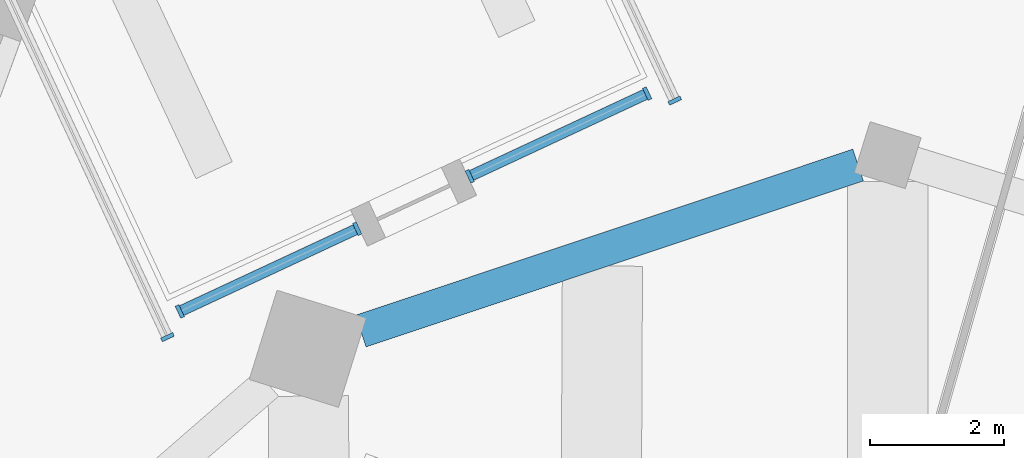
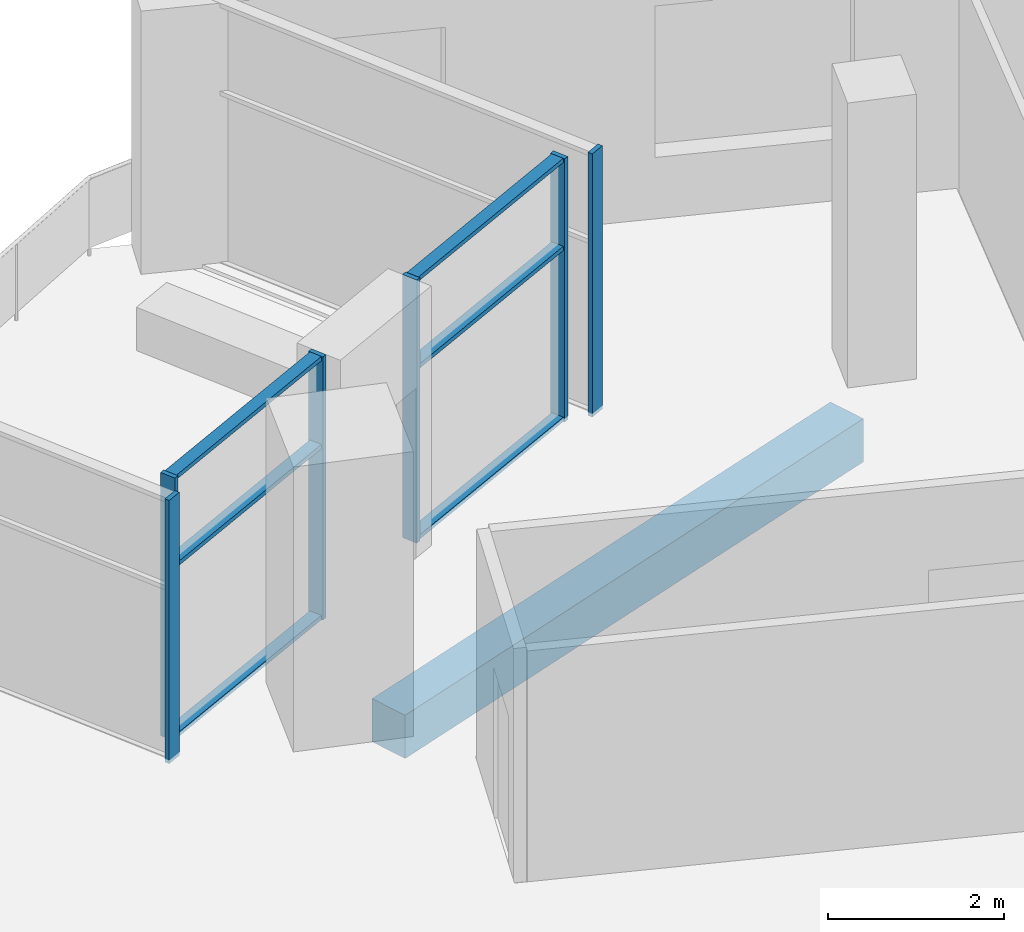
# One storey, part 2 of 13: 12 members, 1 beam, 4 elements without a shape of their own.
"""IFC4 building model written with IfcOpenShell, lengths in metres."""

from ifc_helpers import new_model, si_unit, direction, frame, origin, origin_2d, place, context, subcontext, project, spatial, rectangle, extrude, material, material_profile, profile_set, type_object, element, aggregate, save


model = new_model("IFC4")

# Units and contexts
model_context = context("Model", 3, precision=1e-05, world=origin(), true_north=direction((0.0, 1.0)))
body_context = subcontext(model_context, "Body", "Model", "MODEL_VIEW")
ifc_project = project(units=[si_unit("LENGTHUNIT", "METRE"), si_unit("AREAUNIT", "SQUARE_METRE"), si_unit("VOLUMEUNIT", "CUBIC_METRE"), si_unit("PLANEANGLEUNIT", "RADIAN"), si_unit("MASSUNIT", "GRAM", prefix="KILO")], contexts=[model_context])

# Site, building, storey
site_placement = place(None, origin())
site = spatial("IfcSite", under=ifc_project, at=site_placement, CompositionType="ELEMENT")
building_placement = place(site_placement, origin())
building = spatial("IfcBuilding", under=site, at=building_placement, Name="Dilmun Exchange Tower", CompositionType="ELEMENT")
storey_placement = place(building_placement, frame((0.0, 0.0, 304.5)))
storey = spatial("IfcBuildingStorey", under=building, at=storey_placement, Name="L72", CompositionType="ELEMENT", Elevation=304.5)

# Curtain wall, member
ifc_material_1 = material(Name="Anodised aluminium and clear glass", Category="aluminium")
curtain_wall_type = type_object("IfcCurtainWallType", Name="Garden corner glazing", PredefinedType="NOTDEFINED", material=ifc_material_1)
curtain_wall_1_placement = place(storey_placement, origin())
curtain_wall_1 = element("IfcCurtainWall", 1, at=curtain_wall_1_placement, inside=storey, type_object=curtain_wall_type, Name="Garden corner glazing run GC1.1", PredefinedType="NOTDEFINED")
ifc_material_2 = material(Name="Anodised aluminium", Category="aluminium")
ifc_material_profile_1 = material_profile(ifc_material_2, rectangle(XDim=0.199951171875, YDim=0.06005859375, at=origin_2d()), Name="AL 60x200")
ifc_profile_set_1 = profile_set([ifc_material_profile_1], Name="Anodised aluminium")
member_type_1 = type_object("IfcMemberType", Name="Garden corner glazing mullion 60 x 200", PredefinedType="MULLION", material=ifc_profile_set_1)
member_1_placement = place(storey_placement, frame((-7.043701171875, 30.037109375, 0.0), z_axis=(0.0, 0.0, 1.0), x_axis=(0.906305390357, 0.4226234014, 0.0)))
member_1 = element("IfcMember", 2, at=member_1_placement, type_object=member_type_1, Name="GC1.1 mullion 2", PredefinedType="MULLION", context=body_context, shape_type="SweptSolid", body=[
    extrude(rectangle(XDim=0.199951171875, YDim=0.06005859375, at=origin_2d()), origin(), (0.0, 0.0, 1.0), 3.64990234375),
])
aggregate(curtain_wall_1, [member_1])

# Curtain wall, members
curtain_wall_2_placement = place(storey_placement, origin())
curtain_wall_2 = element("IfcCurtainWall", 3, at=curtain_wall_2_placement, inside=storey, type_object=curtain_wall_type, Name="Garden corner glazing run GC2.1", PredefinedType="NOTDEFINED")
member_2_placement = place(storey_placement, frame((-7.456787109375, 30.142333984375, 0.0), z_axis=(0.0, 0.0, 1.0), x_axis=(0.422610719535, -0.906311303987, 0.0)))
member_2 = element("IfcMember", 4, at=member_2_placement, type_object=member_type_1, Name="GC2.1 mullion 1", PredefinedType="MULLION", context=body_context, shape_type="SweptSolid", body=[
    extrude(rectangle(XDim=0.199951171875, YDim=0.06005859375, at=origin_2d()), origin(), (0.0, 0.0, 1.0), 3.64990234375),
])
member_3_placement = place(storey_placement, frame((-10.111572265625, 28.904296875, 0.0), z_axis=(0.0, 0.0, 1.0), x_axis=(0.422610719535, -0.906311303987, 0.0)))
member_3 = element("IfcMember", 5, at=member_3_placement, type_object=member_type_1, Name="GC2.1 mullion 2", PredefinedType="MULLION", context=body_context, shape_type="SweptSolid", body=[
    extrude(rectangle(XDim=0.199951171875, YDim=0.06005859375, at=origin_2d()), origin(), (0.0, 0.0, 1.0), 3.64990234375),
])

curtain_wall_3_placement = place(storey_placement, origin())
curtain_wall_3 = element("IfcCurtainWall", 6, at=curtain_wall_3_placement, inside=storey, type_object=curtain_wall_type, Name="Garden corner glazing run GC2.3", PredefinedType="NOTDEFINED")
member_4_placement = place(storey_placement, frame((-11.79736328125, 28.1181640625, 0.0), z_axis=(0.0, 0.0, 1.0), x_axis=(0.422610719535, -0.906311303987, 0.0)))
member_4 = element("IfcMember", 7, at=member_4_placement, type_object=member_type_1, Name="GC2.3 mullion 1", PredefinedType="MULLION", context=body_context, shape_type="SweptSolid", body=[
    extrude(rectangle(XDim=0.199951171875, YDim=0.06005859375, at=origin_2d()), origin(), (0.0, 0.0, 1.0), 3.64990234375),
])
member_5_placement = place(storey_placement, frame((-14.451904296875, 26.88037109375, 0.0), z_axis=(0.0, 0.0, 1.0), x_axis=(0.422610719535, -0.906311303987, 0.0)))
member_5 = element("IfcMember", 8, at=member_5_placement, type_object=member_type_1, Name="GC2.3 mullion 2", PredefinedType="MULLION", context=body_context, shape_type="SweptSolid", body=[
    extrude(rectangle(XDim=0.199951171875, YDim=0.06005859375, at=origin_2d()), origin(), (0.0, 0.0, 1.0), 3.64990234375),
])

# Curtain wall, member
curtain_wall_4_placement = place(storey_placement, origin())
curtain_wall_4 = element("IfcCurtainWall", 9, at=curtain_wall_4_placement, inside=storey, type_object=curtain_wall_type, Name="Garden corner glazing run GC3.1", PredefinedType="NOTDEFINED")
member_6_placement = place(storey_placement, frame((-14.636962890625, 26.49609375, 0.0), z_axis=(0.0, 0.0, 1.0), x_axis=(-0.906305390357, -0.4226234014, 0.0)))
member_6 = element("IfcMember", 10, at=member_6_placement, type_object=member_type_1, Name="GC3.1 mullion 1", PredefinedType="MULLION", context=body_context, shape_type="SweptSolid", body=[
    extrude(rectangle(XDim=0.199951171875, YDim=0.06005859375, at=origin_2d()), origin(), (0.0, 0.0, 1.0), 3.64990234375),
])
aggregate(curtain_wall_4, [member_6])

# Member
ifc_material_profile_2 = material_profile(ifc_material_2, rectangle(XDim=0.159912109375, YDim=0.06005859375, at=origin_2d()), Name="AL 60x160")
ifc_profile_set_2 = profile_set([ifc_material_profile_2], Name="Anodised aluminium")
member_type_2 = type_object("IfcMemberType", Name="Garden corner glazing transom 60 x 160", PredefinedType="USERDEFINED", material=ifc_profile_set_2)
member_7_placement = place(storey_placement, frame((-7.484130859375, 30.129638671875, 0.030029296875), z_axis=(-0.906280946012, -0.422675817732, 0.0), x_axis=(0.422675817732, -0.906280946012, 0.0)))
member_7 = element("IfcMember", 11, at=member_7_placement, type_object=member_type_2, Name="GC2.1 transom 1.1", ObjectType="TRANSOM", PredefinedType="USERDEFINED", context=body_context, shape_type="SweptSolid", body=[
    extrude(rectangle(XDim=0.159912109375, YDim=0.06005859375, at=origin_2d()), origin(), (0.0, 0.0, 1.0), 2.868896484375),
])

member_8_placement = place(storey_placement, frame((-7.484130859375, 30.129638671875, 2.39990234375), z_axis=(-0.906280946012, -0.422675817732, 0.0), x_axis=(0.422675817732, -0.906280946012, 0.0)))
member_8 = element("IfcMember", 12, at=member_8_placement, type_object=member_type_2, Name="GC2.1 transom 1.2", ObjectType="TRANSOM", PredefinedType="USERDEFINED", context=body_context, shape_type="SweptSolid", body=[
    extrude(rectangle(XDim=0.159912109375, YDim=0.06005859375, at=origin_2d()), origin(), (0.0, 0.0, 1.0), 2.868896484375),
])

member_9_placement = place(storey_placement, frame((-7.484130859375, 30.129638671875, 3.6201171875), z_axis=(-0.906280946012, -0.422675817732, 0.0), x_axis=(0.422675817732, -0.906280946012, 0.0)))
member_9 = element("IfcMember", 13, at=member_9_placement, type_object=member_type_2, Name="GC2.1 transom 1.3", ObjectType="TRANSOM", PredefinedType="USERDEFINED", context=body_context, shape_type="SweptSolid", body=[
    extrude(rectangle(XDim=0.159912109375, YDim=0.06005859375, at=origin_2d()), origin(), (0.0, 0.0, 1.0), 2.868896484375),
])

aggregate(curtain_wall_2, [member_2, member_3, member_7, member_8, member_9])

member_10_placement = place(storey_placement, frame((-11.824462890625, 28.10546875, 0.030029296875), z_axis=(-0.906328738646, -0.422573327961, 0.0), x_axis=(0.422573327961, -0.906328738646, 0.0)))
member_10 = element("IfcMember", 14, at=member_10_placement, type_object=member_type_2, Name="GC2.3 transom 1.1", ObjectType="TRANSOM", PredefinedType="USERDEFINED", context=body_context, shape_type="SweptSolid", body=[
    extrude(rectangle(XDim=0.159912109375, YDim=0.06005859375, at=origin_2d()), origin(), (0.0, 0.0, 1.0), 2.869140625),
])

member_11_placement = place(storey_placement, frame((-11.824462890625, 28.10546875, 2.39990234375), z_axis=(-0.906328738646, -0.422573327961, 0.0), x_axis=(0.422573327961, -0.906328738646, 0.0)))
member_11 = element("IfcMember", 15, at=member_11_placement, type_object=member_type_2, Name="GC2.3 transom 1.2", ObjectType="TRANSOM", PredefinedType="USERDEFINED", context=body_context, shape_type="SweptSolid", body=[
    extrude(rectangle(XDim=0.159912109375, YDim=0.06005859375, at=origin_2d()), origin(), (0.0, 0.0, 1.0), 2.869140625),
])

member_12_placement = place(storey_placement, frame((-11.824462890625, 28.10546875, 3.6201171875), z_axis=(-0.906328738646, -0.422573327961, 0.0), x_axis=(0.422573327961, -0.906328738646, 0.0)))
member_12 = element("IfcMember", 16, at=member_12_placement, type_object=member_type_2, Name="GC2.3 transom 1.3", ObjectType="TRANSOM", PredefinedType="USERDEFINED", context=body_context, shape_type="SweptSolid", body=[
    extrude(rectangle(XDim=0.159912109375, YDim=0.06005859375, at=origin_2d()), origin(), (0.0, 0.0, 1.0), 2.869140625),
])

aggregate(curtain_wall_3, [member_4, member_5, member_10, member_11, member_12])

# Beam
ifc_material_3 = material(Name="Concrete C40/50", Category="concrete")
ifc_material_profile_3 = material_profile(ifc_material_3, rectangle(XDim=0.5, YDim=0.60009765625, at=origin_2d()), Name="500 x 600")
ifc_profile_set_3 = profile_set([ifc_material_profile_3], Name="Concrete C40/50")
beam_type = type_object("IfcBeamType", Name="RC ring beam 500 x 600 C40/50", PredefinedType="SPANDREL", material=ifc_profile_set_3)
beam_placement = place(storey_placement, frame((-4.298095703125, 29.072509765625, -0.64990234375), z_axis=(-0.94854014246, -0.316656909198, 0.0), x_axis=(0.316656909198, -0.94854014246, 0.0)))
element("IfcBeam", 17, at=beam_placement, inside=storey, type_object=beam_type, Name="Ring beam 16", PredefinedType="SPANDREL", context=body_context, shape_type="SweptSolid", body=[
    extrude(rectangle(XDim=0.5, YDim=0.60009765625, at=origin_2d()), origin(), (0.0, 0.0, 1.0), 7.850341796875),
])

save(model, "model.ifc")
